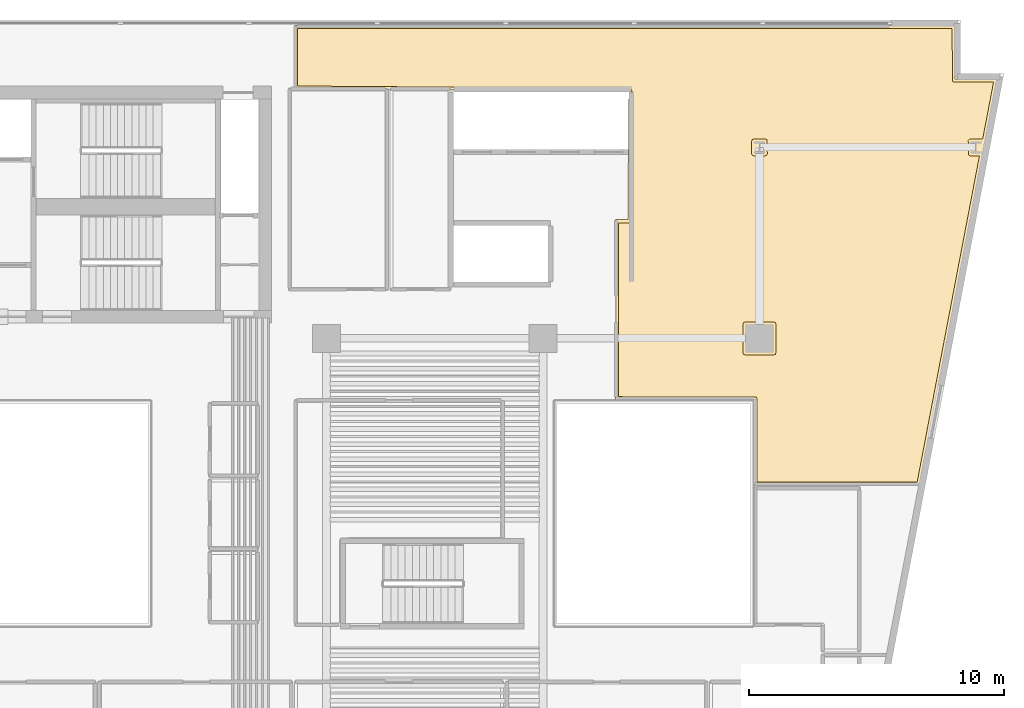
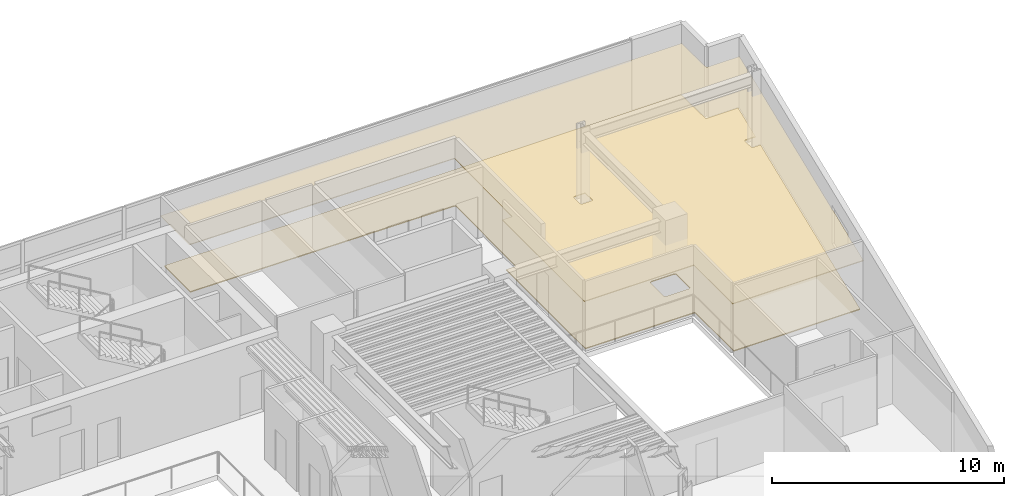
# One storey, part 13 of 13: 2 coverings.
"""IFC4 building model written with IfcOpenShell, lengths in metres."""

from ifc_helpers import new_model, si_unit, direction, frame, origin, place, context, subcontext, project, spatial, polyline, outline, extrude, material, layer, layer_set, type_object, element, save


model = new_model("IFC4")

# Units and contexts
model_context = context("Model", 3, precision=1e-05, world=origin(), true_north=direction((0.0, 1.0)))
body_context = subcontext(model_context, "Body", "Model", "MODEL_VIEW")
ifc_project = project(units=[si_unit("LENGTHUNIT", "METRE"), si_unit("AREAUNIT", "SQUARE_METRE"), si_unit("VOLUMEUNIT", "CUBIC_METRE"), si_unit("PLANEANGLEUNIT", "RADIAN"), si_unit("MASSUNIT", "GRAM", prefix="KILO")], contexts=[model_context])

# Site, building, storey
site_placement = place(None, origin())
site = spatial("IfcSite", under=ifc_project, at=site_placement, CompositionType="ELEMENT")
building_placement = place(site_placement, origin())
building = spatial("IfcBuilding", under=site, at=building_placement, Name="Caeloran Harvest Quay", CompositionType="ELEMENT")
storey_placement = place(building_placement, frame((0.0, 0.0, 170.64990234375)))
storey = spatial("IfcBuildingStorey", under=building, at=storey_placement, Name="L40", CompositionType="ELEMENT", Elevation=170.64990234375)

# Coverings
ifc_material_1 = material(Name="Perforated Mineral-Fibre Acoustic Ceiling Tile", Category="ceiling")
ifc_layer_1 = layer(ifc_material_1, 0.0400390625, Name="Perforated Mineral-Fibre Acoustic Ceiling Tile")
ifc_layer_set_1 = layer_set([ifc_layer_1], Name="Perforated Mineral-Fibre Acoustic Ceiling Tile")
covering_type_1 = type_object("IfcCoveringType", Name="COV-CEILING-ACOUSTIC", PredefinedType="CEILING", material=ifc_layer_set_1)
covering_1_placement = place(storey_placement, frame((0.0, 0.0, 2.60009765625)))
element("IfcCovering", 1, at=covering_1_placement, inside=storey, type_object=covering_type_1, Name="Investor Dining Salon Lounge 11 Acoustic Ceiling", PredefinedType="CEILING", context=body_context, shape_type="SweptSolid", body=[
    extrude(outline(polyline([(48.788818359375, 25.239990234375), (42.2900390625, 25.239990234375), (42.2900390625, 28.590087890625), (36.840087890625, 28.590087890625), (36.840087890625, 35.659912109375), (37.330322265625, 35.659912109375), (37.36962890625, 40.690185546875), (24.239990234375, 40.790283203125), (24.239990234375, 43.280029296875), (50.179931640625, 43.280029296875), (50.179931640625, 41.179931640625), (51.8330078125, 41.179931640625), (48.788818359375, 25.239990234375)])), origin(), (0.0, 0.0, 1.0), 0.0400390625),
])
ifc_material_2 = material(Name="Calcium-Sulphate Raised Access Floor and Terrazzo Finish", Category="flooring")
ifc_layer_2 = layer(ifc_material_2, 0.050048828125, Name="Calcium-Sulphate Raised Access Floor and Terrazzo Finish")
ifc_layer_set_2 = layer_set([ifc_layer_2], Name="Calcium-Sulphate Raised Access Floor and Terrazzo Finish")
covering_type_2 = type_object("IfcCoveringType", Name="COV-FLOOR-RAISED", PredefinedType="FLOORING", material=ifc_layer_set_2)
covering_2_placement = place(storey_placement, origin())
element("IfcCovering", 2, at=covering_2_placement, inside=storey, type_object=covering_type_2, Name="Investor Dining Salon Lounge 11 Raised Finish Flooring", PredefinedType="FLOORING", context=body_context, shape_type="SweptSolid", body=[
    extrude(outline(polyline([(50.06005859375, 43.159912109375), (50.078125, 41.089111328125), (50.132080078125, 41.060302734375), (51.68798828125, 41.06005859375), (51.260986328125, 38.82421875), (50.76513671875, 38.83154296875), (50.694580078125, 38.767578125), (50.70654296875, 38.20361328125), (50.76513671875, 38.16845703125), (51.135498046875, 38.16796875), (48.689697265625, 25.360107421875), (42.409912109375, 25.360107421875), (42.409912109375, 28.6298828125), (42.37451171875, 28.696533203125), (36.9599609375, 28.7099609375), (36.9599609375, 35.5400390625), (37.377685546875, 35.540283203125), (37.44970703125, 35.611572265625), (37.489990234375, 40.7294921875), (37.467041015625, 40.7861328125), (37.41064453125, 40.81005859375), (24.360107421875, 40.909423828125), (24.360107421875, 43.159912109375), (50.06005859375, 43.159912109375)]), holes=[polyline([(41.93505859375, 31.64501953125), (41.87841796875, 31.62158203125), (41.85498046875, 31.56494140625), (41.85498046875, 30.43505859375), (41.87841796875, 30.37841796875), (41.93505859375, 30.35498046875), (43.06494140625, 30.35498046875), (43.12158203125, 30.37841796875), (43.14501953125, 30.43505859375), (43.14501953125, 31.56494140625), (43.12158203125, 31.62158203125), (43.06494140625, 31.64501953125), (41.93505859375, 31.64501953125)]), polyline([(42.806884765625, 38.248046875), (42.788818359375, 38.802734375), (42.73486328125, 38.83154296875), (42.27294921875, 38.83203125), (42.21630859375, 38.80859375), (42.193115234375, 38.751953125), (42.193115234375, 38.248046875), (42.21630859375, 38.19140625), (42.27294921875, 38.16796875), (42.72705078125, 38.16796875), (42.78369140625, 38.19140625), (42.806884765625, 38.248046875)])]), origin(), (0.0, 0.0, 1.0), 0.050048828125),
])

save(model, "model.ifc")
